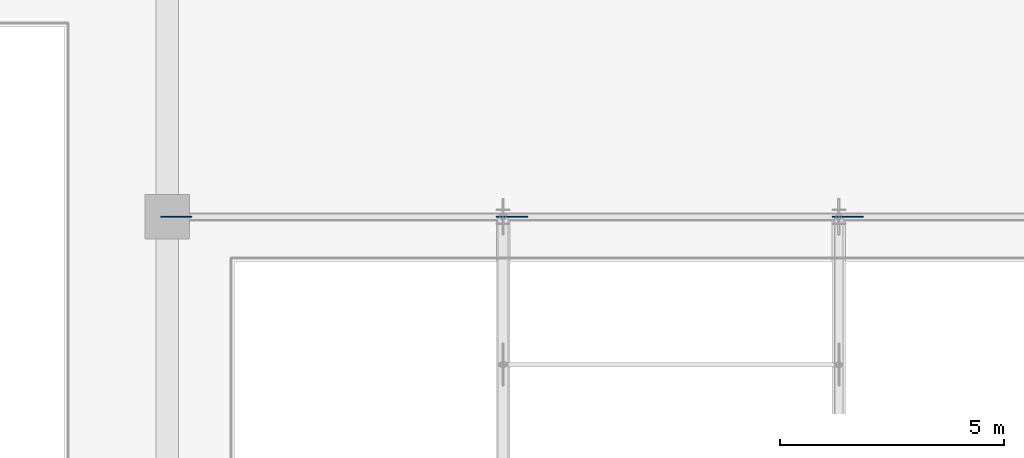
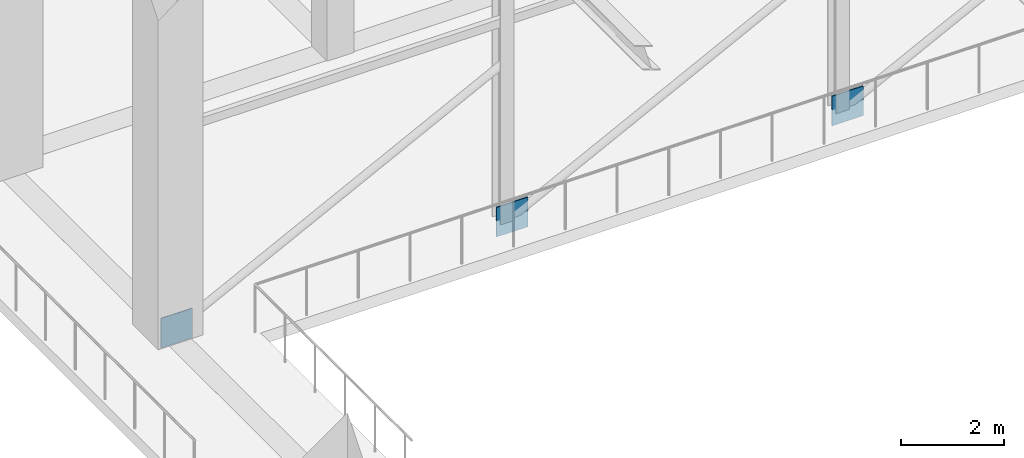
# One storey, part 60 of 80: 3 plates.
"""IFC4 building model written with IfcOpenShell, lengths in metres."""

from ifc_helpers import new_model, si_unit, direction, frame, origin, origin_2d, place, context, subcontext, project, spatial, rectangle, extrude, material, layer, layer_set, type_object, element, save


model = new_model("IFC4")

# Units and contexts
model_context = context("Model", 3, precision=1e-05, world=origin(), true_north=direction((0.0, 1.0)))
body_context = subcontext(model_context, "Body", "Model", "MODEL_VIEW")
ifc_project = project(units=[si_unit("LENGTHUNIT", "METRE"), si_unit("AREAUNIT", "SQUARE_METRE"), si_unit("VOLUMEUNIT", "CUBIC_METRE"), si_unit("PLANEANGLEUNIT", "RADIAN"), si_unit("MASSUNIT", "GRAM", prefix="KILO")], contexts=[model_context])

# Site, building, storey
site_placement = place(None, origin())
site = spatial("IfcSite", under=ifc_project, at=site_placement, CompositionType="ELEMENT")
building_placement = place(site_placement, origin())
building = spatial("IfcBuilding", under=site, at=building_placement, Name="Akrevak Sports Hall", CompositionType="ELEMENT")
storey_placement = place(building_placement, frame((0.0, 0.0, 14.0)))
storey = spatial("IfcBuildingStorey", under=building, at=storey_placement, Name="L03", CompositionType="ELEMENT", Elevation=14.0)

# Plates
ifc_material = material(Name="Steel S355", Category="steel")
ifc_layer = layer(ifc_material, 0.02392578125, Name="Steel S355")
ifc_layer_set = layer_set([ifc_layer], Name="Steel S355")
plate_type = type_object("IfcPlateType", Name="STR-PLT-GUSSET-24", PredefinedType="SHEET", material=ifc_layer_set)
for number, where, z_axis, x_axis, name in (
    (1, (115.699951171875, 48.60009765625, -0.3798828125), (0.0, 0.0, 1.0), (1.0, 0.0, 0.0), "Steel Gusset Plate PL-G1-L03-1"),
    (2, (123.199951171875, 48.60009765625, -0.3798828125), (0.0, 0.0, 1.0), (1.0, 0.0, 0.0), "Steel Gusset Plate PL-G1-L03-2"),
    (3, (130.699951171875, 48.60009765625, -0.3798828125), (0.0, 0.0, 1.0), (1.0, 0.0, 0.0), "Steel Gusset Plate PL-G1-L03-3"),
):
    element("IfcPlate", number, at=place(storey_placement, frame(where, z_axis=z_axis, x_axis=x_axis)), inside=storey, type_object=plate_type, Name=name, PredefinedType="SHEET", context=body_context, shape_type="SweptSolid", body=[
        extrude(rectangle(XDim=0.699951171875, YDim=0.02392578125, at=origin_2d()), origin(), (0.0, 0.0, 1.0), 0.699951171875),
    ])

save(model, "model.ifc")
